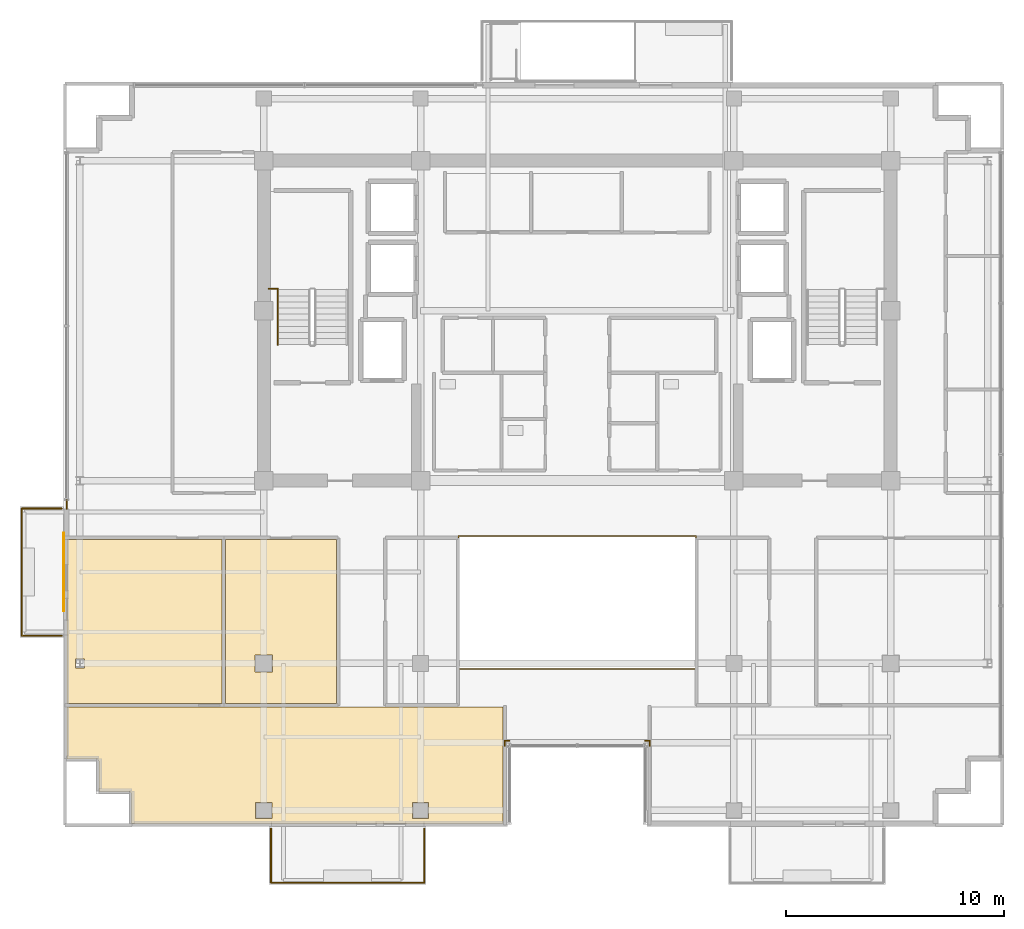
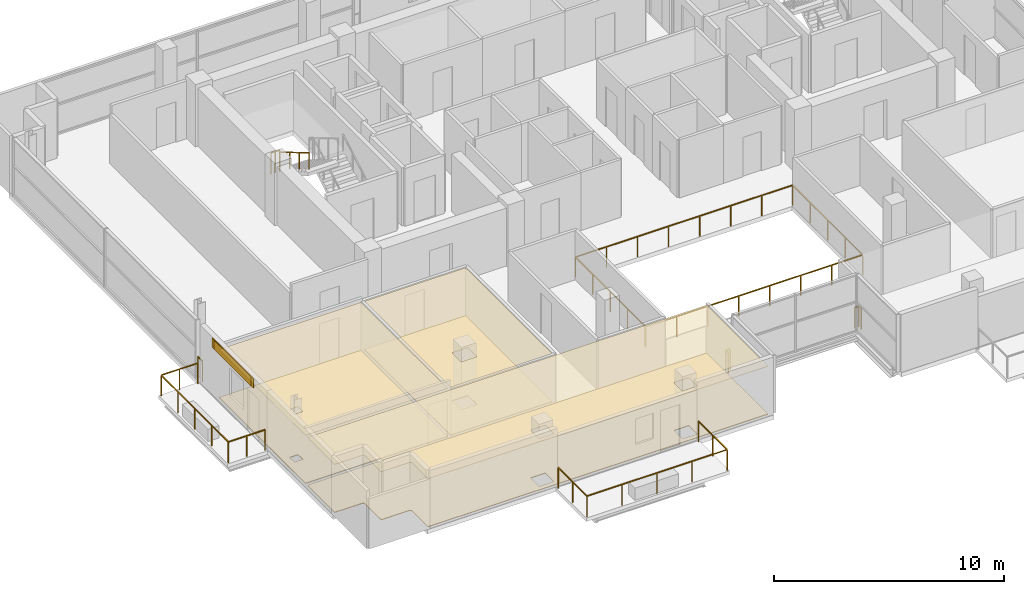
# One storey, part 20 of 24: 10 railings, 7 coverings, 1 shading device.
"""IFC4 building model written with IfcOpenShell, lengths in metres."""

from ifc_helpers import new_model, si_unit, direction, frame, origin, origin_2d, place, context, subcontext, project, spatial, polyline, rectangle, outline, extrude, source, transform, mapped, material, layer, layer_set, type_object, element, save


model = new_model("IFC4")

# Units and contexts
model_context = context("Model", 3, precision=1e-05, world=origin(), true_north=direction((0.0, 1.0)))
body_context = subcontext(model_context, "Body", "Model", "MODEL_VIEW")
ifc_project = project(units=[si_unit("LENGTHUNIT", "METRE"), si_unit("AREAUNIT", "SQUARE_METRE"), si_unit("VOLUMEUNIT", "CUBIC_METRE"), si_unit("PLANEANGLEUNIT", "RADIAN"), si_unit("MASSUNIT", "GRAM", prefix="KILO")], contexts=[model_context])

# Site, building, storey
site_placement = place(None, origin())
site = spatial("IfcSite", under=ifc_project, at=site_placement, CompositionType="ELEMENT")
building_placement = place(site_placement, origin())
building = spatial("IfcBuilding", under=site, at=building_placement, Name="Zarnakvel Exchange Tower", CompositionType="ELEMENT")
storey_placement = place(building_placement, frame((0.0, 0.0, 208.89990234375)))
storey = spatial("IfcBuildingStorey", under=building, at=storey_placement, Name="L58", CompositionType="ELEMENT", Elevation=208.89990234375)

# Coverings
ifc_material_1 = material(Name="Perforated Bronze Acoustic Metal Ceiling", Category="aluminium")
ifc_layer_1 = layer(ifc_material_1, 0.02001953125)
ifc_layer_set_1 = layer_set([ifc_layer_1], Name="Perforated Bronze Acoustic Metal Ceiling")
covering_type_1 = type_object("IfcCoveringType", Name="CLG-01", PredefinedType="CEILING", material=ifc_layer_set_1)
covering_1_placement = place(storey_placement, frame((0.0, 0.0, 2.55517578125)))
element("IfcCovering", 1, at=covering_1_placement, inside=storey, type_object=covering_type_1, Name="L58 Suspended Acoustic Ceiling (Electronic Trading Hall)", PredefinedType="CEILING", context=body_context, shape_type="SweptSolid", body=[
    extrude(outline(polyline([(-23.449951171875, -3.909912109375), (-16.31591796875, -3.909912109375), (-16.31591796875, -11.43994140625), (-23.449951171875, -11.43994140625), (-23.449951171875, -3.909912109375)]), holes=[polyline([(-22.642578125, -9.807373046875), (-22.642578125, -9.392578125), (-23.057373046875, -9.392578125), (-23.057373046875, -9.807373046875), (-22.642578125, -9.807373046875)])]), origin(), (0.0, 0.0, 1.0), 0.02001953125),
])
covering_2_placement = place(storey_placement, frame((0.0, 0.0, 2.55517578125)))
element("IfcCovering", 2, at=covering_2_placement, inside=storey, type_object=covering_type_1, Name="L58 Suspended Acoustic Ceiling (Brokerage Workspace)", PredefinedType="CEILING", context=body_context, shape_type="SweptSolid", body=[
    extrude(outline(polyline([(-16.15576171875, -3.909912109375), (-11.06005859375, -3.909912109375), (-11.06005859375, -11.43994140625), (-16.15576171875, -11.43994140625), (-16.15576171875, -3.909912109375)]), holes=[polyline([(-14.0048828125, -9.9951171875), (-14.0048828125, -9.205078125), (-14.794921875, -9.205078125), (-14.794921875, -9.9951171875), (-14.0048828125, -9.9951171875)])]), origin(), (0.0, 0.0, 1.0), 0.02001953125),
])
covering_3_placement = place(storey_placement, frame((0.0, 0.0, 2.55517578125)))
element("IfcCovering", 3, at=covering_3_placement, inside=storey, type_object=covering_type_1, Name="L58 Suspended Acoustic Ceiling (Electronic Trading Hall)", PredefinedType="CEILING", context=body_context, shape_type="SweptSolid", body=[
    extrude(outline(polyline([(-3.39990234375, -11.60009765625), (-3.39990234375, -16.949951171875), (-20.47998046875, -16.949951171875), (-20.47998046875, -15.60009765625), (-20.48046875, -15.588134765625), (-20.482421875, -15.57666015625), (-20.485107421875, -15.565185546875), (-20.489013671875, -15.55419921875), (-20.494140625, -15.54345703125), (-20.500244140625, -15.533447265625), (-20.50732421875, -15.52392578125), (-20.51513671875, -15.51513671875), (-20.52392578125, -15.50732421875), (-20.533447265625, -15.500244140625), (-20.54345703125, -15.494140625), (-20.55419921875, -15.489013671875), (-20.565185546875, -15.485107421875), (-20.57666015625, -15.482421875), (-20.588134765625, -15.48046875), (-20.60009765625, -15.47998046875), (-21.97998046875, -15.47998046875), (-21.97998046875, -14.10009765625), (-21.98046875, -14.088134765625), (-21.982421875, -14.07666015625), (-21.985107421875, -14.065185546875), (-21.989013671875, -14.05419921875), (-21.994140625, -14.04345703125), (-22.000244140625, -14.033447265625), (-22.00732421875, -14.02392578125), (-22.01513671875, -14.01513671875), (-22.02392578125, -14.00732421875), (-22.033447265625, -14.000244140625), (-22.04345703125, -13.994140625), (-22.05419921875, -13.989013671875), (-22.065185546875, -13.985107421875), (-22.07666015625, -13.982421875), (-22.088134765625, -13.98046875), (-22.10009765625, -13.97998046875), (-23.449951171875, -13.97998046875), (-23.449951171875, -11.60009765625), (-3.39990234375, -11.60009765625)]), holes=[polyline([(-6.830078125, -16.719970703125), (-6.830078125, -15.97998046875), (-7.570068359375, -15.97998046875), (-7.570068359375, -16.719970703125), (-6.830078125, -16.719970703125)]), polyline([(-14.030029296875, -15.97998046875), (-14.77001953125, -15.97998046875), (-14.77001953125, -16.719970703125), (-14.030029296875, -16.719970703125), (-14.030029296875, -15.97998046875)])]), origin(), (0.0, 0.0, 1.0), 0.02001953125),
])
ifc_material_2 = material(Name="Heavy-Duty Raised Access Floor Panel", Category="steel")
ifc_layer_2 = layer(ifc_material_2, 0.034912109375)
ifc_layer_set_2 = layer_set([ifc_layer_2], Name="Heavy-Duty Raised Access Floor Panel")
covering_type_2 = type_object("IfcCoveringType", Name="FLR-02", PredefinedType="FLOORING", material=ifc_layer_set_2)
covering_4_placement = place(storey_placement, origin())
element("IfcCovering", 4, at=covering_4_placement, inside=storey, type_object=covering_type_2, Name="L58 Floor Finish (Electronic Trading Hall)", PredefinedType="FLOORING", context=body_context, shape_type="SweptSolid", body=[
    extrude(outline(polyline([(-23.449951171875, -3.909912109375), (-16.31591796875, -3.909912109375), (-16.31591796875, -11.43994140625), (-23.449951171875, -11.43994140625), (-23.449951171875, -3.909912109375)]), holes=[polyline([(-22.642578125, -9.807373046875), (-22.642578125, -9.392578125), (-23.057373046875, -9.392578125), (-23.057373046875, -9.807373046875), (-22.642578125, -9.807373046875)])]), origin(), (0.0, 0.0, 1.0), 0.03515625),
])
covering_5_placement = place(storey_placement, origin())
element("IfcCovering", 5, at=covering_5_placement, inside=storey, type_object=covering_type_2, Name="L58 Floor Finish (Brokerage Workspace)", PredefinedType="FLOORING", context=body_context, shape_type="SweptSolid", body=[
    extrude(outline(polyline([(-16.15576171875, -3.909912109375), (-11.06005859375, -3.909912109375), (-11.06005859375, -11.43994140625), (-16.15576171875, -11.43994140625), (-16.15576171875, -3.909912109375)]), holes=[polyline([(-14.0048828125, -9.9951171875), (-14.0048828125, -9.205078125), (-14.794921875, -9.205078125), (-14.794921875, -9.9951171875), (-14.0048828125, -9.9951171875)])]), origin(), (0.0, 0.0, 1.0), 0.03515625),
])
covering_6_placement = place(storey_placement, origin())
element("IfcCovering", 6, at=covering_6_placement, inside=storey, type_object=covering_type_2, Name="L58 Floor Finish (Electronic Trading Hall)", PredefinedType="FLOORING", context=body_context, shape_type="SweptSolid", body=[
    extrude(outline(polyline([(-3.39990234375, -11.60009765625), (-3.39990234375, -16.949951171875), (-20.47998046875, -16.949951171875), (-20.47998046875, -15.60009765625), (-20.48046875, -15.588134765625), (-20.482421875, -15.57666015625), (-20.485107421875, -15.565185546875), (-20.489013671875, -15.55419921875), (-20.494140625, -15.54345703125), (-20.500244140625, -15.533447265625), (-20.50732421875, -15.52392578125), (-20.51513671875, -15.51513671875), (-20.52392578125, -15.50732421875), (-20.533447265625, -15.500244140625), (-20.54345703125, -15.494140625), (-20.55419921875, -15.489013671875), (-20.565185546875, -15.485107421875), (-20.57666015625, -15.482421875), (-20.588134765625, -15.48046875), (-20.60009765625, -15.47998046875), (-21.97998046875, -15.47998046875), (-21.97998046875, -14.10009765625), (-21.98046875, -14.088134765625), (-21.982421875, -14.07666015625), (-21.985107421875, -14.065185546875), (-21.989013671875, -14.05419921875), (-21.994140625, -14.04345703125), (-22.000244140625, -14.033447265625), (-22.00732421875, -14.02392578125), (-22.01513671875, -14.01513671875), (-22.02392578125, -14.00732421875), (-22.033447265625, -14.000244140625), (-22.04345703125, -13.994140625), (-22.05419921875, -13.989013671875), (-22.065185546875, -13.985107421875), (-22.07666015625, -13.982421875), (-22.088134765625, -13.98046875), (-22.10009765625, -13.97998046875), (-23.449951171875, -13.97998046875), (-23.449951171875, -11.60009765625), (-3.39990234375, -11.60009765625)]), holes=[polyline([(-6.830078125, -16.719970703125), (-6.830078125, -15.97998046875), (-7.570068359375, -15.97998046875), (-7.570068359375, -16.719970703125), (-6.830078125, -16.719970703125)]), polyline([(-14.030029296875, -15.97998046875), (-14.77001953125, -15.97998046875), (-14.77001953125, -16.719970703125), (-14.030029296875, -16.719970703125), (-14.030029296875, -15.97998046875)])]), origin(), (0.0, 0.0, 1.0), 0.03515625),
])

# Railings
ifc_material_3 = material(Name="Architectural Bronze Anodised Aluminium", Category="aluminium")
railing_type_1 = type_object("IfcRailingType", Name="GR-02", PredefinedType="GUARDRAIL", material=ifc_material_3)
railing_1_placement = place(storey_placement, frame((-14.070068359375, -17.179931640625, -0.034912109375)))
element("IfcRailing", 7, at=railing_1_placement, inside=storey, type_object=railing_type_1, Name="L58 Balcony Guardrail BAL-L58-SW", PredefinedType="GUARDRAIL", context=body_context, shape_type="SweptSolid", body=[
    extrude(rectangle(XDim=0.048095703125, YDim=0.048095703125, at=origin_2d()), frame((0.0, 0.0, 1.09619140625), z_axis=(0.0, -1.0, 0.0), x_axis=(1.0, 0.0, 0.0)), (0.0, 0.0, 1.0), 2.489990234375),
    extrude(rectangle(XDim=0.048095703125, YDim=0.048095703125, at=origin_2d()), frame((0.0, -2.489990234375, 1.09619140625), z_axis=(1.0, 0.0, 0.0), x_axis=(0.0, 1.0, 0.0)), (0.0, 0.0, 1.0), 7.0400390625),
    extrude(rectangle(XDim=0.048095703125, YDim=0.048095703125, at=origin_2d()), frame((7.0400390625, -2.489990234375, 1.09619140625), z_axis=(0.0, 1.0, 0.0), x_axis=(-1.0, 0.0, 0.0)), (0.0, 0.0, 1.0), 2.489990234375),
    extrude(rectangle(XDim=0.0419921875, YDim=0.0419921875, at=origin_2d()), origin(), (0.0, 0.0, 1.0), 1.072021484375),
    extrude(rectangle(XDim=0.0419921875, YDim=0.0419921875, at=origin_2d()), frame((0.0, -1.2451171875, 0.0)), (0.0, 0.0, 1.0), 1.072021484375),
    extrude(rectangle(XDim=0.0419921875, YDim=0.0419921875, at=origin_2d()), frame((0.0, -2.489990234375, 0.0)), (0.0, 0.0, 1.0), 1.072021484375),
    extrude(rectangle(XDim=0.0419921875, YDim=0.0419921875, at=origin_2d()), frame((1.760009765625, -2.489990234375, 0.0)), (0.0, 0.0, 1.0), 1.072021484375),
    extrude(rectangle(XDim=0.0419921875, YDim=0.0419921875, at=origin_2d()), frame((3.52001953125, -2.489990234375, 0.0)), (0.0, 0.0, 1.0), 1.072021484375),
    extrude(rectangle(XDim=0.0419921875, YDim=0.0419921875, at=origin_2d()), frame((5.280029296875, -2.489990234375, 0.0)), (0.0, 0.0, 1.0), 1.072021484375),
    extrude(rectangle(XDim=0.0419921875, YDim=0.0419921875, at=origin_2d()), frame((7.0400390625, -2.489990234375, 0.0)), (0.0, 0.0, 1.0), 1.072021484375),
    extrude(rectangle(XDim=0.0419921875, YDim=0.0419921875, at=origin_2d()), frame((7.0400390625, -1.2451171875, 0.0)), (0.0, 0.0, 1.0), 1.072021484375),
    extrude(rectangle(XDim=0.0419921875, YDim=0.0419921875, at=origin_2d()), frame((7.0400390625, 0.0, 0.0)), (0.0, 0.0, 1.0), 1.072021484375),
])
railing_2_placement = place(storey_placement, frame((-23.679931640625, -8.320068359375, -0.034912109375)))
element("IfcRailing", 8, at=railing_2_placement, inside=storey, type_object=railing_type_1, Name="L58 Balcony Guardrail BAL-L58-W", PredefinedType="GUARDRAIL", context=body_context, shape_type="SweptSolid", body=[
    extrude(rectangle(XDim=0.048095703125, YDim=0.048095703125, at=origin_2d()), frame((0.0, 0.0, 1.09619140625), z_axis=(-1.0, 0.0, 0.0), x_axis=(0.0, -1.0, 0.0)), (0.0, 0.0, 1.0), 1.840087890625),
    extrude(rectangle(XDim=0.048095703125, YDim=0.048095703125, at=origin_2d()), frame((-1.840087890625, 0.0, 1.09619140625), z_axis=(0.0, 1.0, 0.0), x_axis=(-1.0, 0.0, 0.0)), (0.0, 0.0, 1.0), 5.840087890625),
    extrude(rectangle(XDim=0.048095703125, YDim=0.048095703125, at=origin_2d()), frame((-1.840087890625, 5.840087890625, 1.09619140625), z_axis=(1.0, 0.0, 0.0), x_axis=(0.0, 1.0, 0.0)), (0.0, 0.0, 1.0), 1.840087890625),
    extrude(rectangle(XDim=0.0419921875, YDim=0.0419921875, at=origin_2d()), origin(), (0.0, 0.0, 1.0), 1.072021484375),
    extrude(rectangle(XDim=0.0419921875, YDim=0.0419921875, at=origin_2d()), frame((-0.919921875, 0.0, 0.0)), (0.0, 0.0, 1.0), 1.072021484375),
    extrude(rectangle(XDim=0.0419921875, YDim=0.0419921875, at=origin_2d()), frame((-1.840087890625, 0.0, 0.0)), (0.0, 0.0, 1.0), 1.072021484375),
    extrude(rectangle(XDim=0.0419921875, YDim=0.0419921875, at=origin_2d()), frame((-1.840087890625, 1.4599609375, 0.0)), (0.0, 0.0, 1.0), 1.072021484375),
    extrude(rectangle(XDim=0.0419921875, YDim=0.0419921875, at=origin_2d()), frame((-1.840087890625, 2.919921875, 0.0)), (0.0, 0.0, 1.0), 1.072021484375),
    extrude(rectangle(XDim=0.0419921875, YDim=0.0419921875, at=origin_2d()), frame((-1.840087890625, 4.380126953125, 0.0)), (0.0, 0.0, 1.0), 1.072021484375),
    extrude(rectangle(XDim=0.0419921875, YDim=0.0419921875, at=origin_2d()), frame((-1.840087890625, 5.840087890625, 0.0)), (0.0, 0.0, 1.0), 1.072021484375),
    extrude(rectangle(XDim=0.0419921875, YDim=0.0419921875, at=origin_2d()), frame((-0.919921875, 5.840087890625, 0.0)), (0.0, 0.0, 1.0), 1.072021484375),
    extrude(rectangle(XDim=0.0419921875, YDim=0.0419921875, at=origin_2d()), frame((0.0, 5.840087890625, 0.0)), (0.0, 0.0, 1.0), 1.072021484375),
])
railing_3_placement = place(storey_placement, frame((-23.4599609375, -2.5, 0.0)))
element("IfcRailing", 9, at=railing_3_placement, inside=storey, type_object=railing_type_1, Name="L58 Corner Spandrel Balustrade #2", PredefinedType="GUARDRAIL", context=body_context, shape_type="SweptSolid", body=[
    extrude(rectangle(XDim=0.048095703125, YDim=0.048095703125, at=origin_2d()), frame((0.0, 0.0, 1.09619140625), z_axis=(0.0, 1.0, 0.0), x_axis=(-1.0, 0.0, 0.0)), (0.0, 0.0, 1.0), 0.39990234375),
    extrude(rectangle(XDim=0.0419921875, YDim=0.0419921875, at=origin_2d()), origin(), (0.0, 0.0, 1.0), 1.072021484375),
    extrude(rectangle(XDim=0.0419921875, YDim=0.0419921875, at=origin_2d()), frame((0.0, 0.39990234375, 0.0)), (0.0, 0.0, 1.0), 1.072021484375),
])
railing_4_placement = place(storey_placement, frame((3.340087890625, -13.3798828125, 0.0)))
element("IfcRailing", 10, at=railing_4_placement, inside=storey, type_object=railing_type_1, Name="L58 Corner Spandrel Balustrade #19", PredefinedType="GUARDRAIL", context=body_context, shape_type="SweptSolid", body=[
    extrude(rectangle(XDim=0.048095703125, YDim=0.048095703125, at=origin_2d()), frame((0.0, 0.0, 1.09619140625), z_axis=(0.0, 1.0, 0.0), x_axis=(-1.0, 0.0, 0.0)), (0.0, 0.0, 1.0), 0.219970703125),
    extrude(rectangle(XDim=0.0419921875, YDim=0.0419921875, at=origin_2d()), origin(), (0.0, 0.0, 1.0), 1.072021484375),
    extrude(rectangle(XDim=0.0419921875, YDim=0.0419921875, at=origin_2d()), frame((0.0, 0.219970703125, 0.0)), (0.0, 0.0, 1.0), 1.072021484375),
])
for number, where, name in (
    (11, (3.340087890625, -13.159912109375, 0.0), "L58 Corner Spandrel Balustrade #20"),
    (12, (-3.1201171875, -13.159912109375, 0.0), "L58 Corner Spandrel Balustrade #21"),
):
    element("IfcRailing", number, at=place(storey_placement, frame(where)), inside=storey, type_object=railing_type_1, Name=name, PredefinedType="GUARDRAIL", context=body_context, shape_type="SweptSolid", body=[
        extrude(rectangle(XDim=0.048095703125, YDim=0.048095703125, at=origin_2d()), frame((0.0, 0.0, 1.09619140625), z_axis=(-1.0, 0.0, 0.0), x_axis=(0.0, -1.0, 0.0)), (0.0, 0.0, 1.0), 0.219970703125),
        extrude(rectangle(XDim=0.0419921875, YDim=0.0419921875, at=origin_2d()), origin(), (0.0, 0.0, 1.0), 1.072021484375),
        extrude(rectangle(XDim=0.0419921875, YDim=0.0419921875, at=origin_2d()), frame((-0.219970703125, 0.0, 0.0)), (0.0, 0.0, 1.0), 1.072021484375),
    ])
railing_5_placement = place(storey_placement, frame((-3.340087890625, -13.159912109375, 0.0)))
element("IfcRailing", 13, at=railing_5_placement, inside=storey, type_object=railing_type_1, Name="L58 Corner Spandrel Balustrade #22", PredefinedType="GUARDRAIL", context=body_context, shape_type="SweptSolid", body=[
    extrude(rectangle(XDim=0.048095703125, YDim=0.048095703125, at=origin_2d()), frame((0.0, 0.0, 1.09619140625), z_axis=(0.0, -1.0, 0.0), x_axis=(1.0, 0.0, 0.0)), (0.0, 0.0, 1.0), 0.219970703125),
    extrude(rectangle(XDim=0.0419921875, YDim=0.0419921875, at=origin_2d()), origin(), (0.0, 0.0, 1.0), 1.072021484375),
    extrude(rectangle(XDim=0.0419921875, YDim=0.0419921875, at=origin_2d()), frame((0.0, -0.219970703125, 0.0)), (0.0, 0.0, 1.0), 1.072021484375),
])
railing_type_2 = type_object("IfcRailingType", Name="GR-03", PredefinedType="GUARDRAIL", material=ifc_material_3)
railing_6_placement = place(storey_placement, frame((-5.449951171875, -9.85009765625, 0.0)))
element("IfcRailing", 14, at=railing_6_placement, inside=storey, type_object=railing_type_2, Name="L58 Atrium Void Perimeter Balustrade", PredefinedType="GUARDRAIL", context=body_context, shape_type="SweptSolid", body=[
    extrude(rectangle(XDim=0.048095703125, YDim=0.048095703125, at=origin_2d()), frame((0.0, 0.0, 1.076171875), z_axis=(1.0, 0.0, 0.0), x_axis=(0.0, 1.0, 0.0)), (0.0, 0.0, 1.0), 10.89990234375),
    extrude(rectangle(XDim=0.048095703125, YDim=0.048095703125, at=origin_2d()), frame((10.89990234375, 0.0, 1.076171875), z_axis=(0.0, 1.0, 0.0), x_axis=(-1.0, 0.0, 0.0)), (0.0, 0.0, 1.0), 6.10009765625),
    extrude(rectangle(XDim=0.048095703125, YDim=0.048095703125, at=origin_2d()), frame((10.89990234375, 6.10009765625, 1.076171875), z_axis=(-1.0, 0.0, 0.0), x_axis=(0.0, -1.0, 0.0)), (0.0, 0.0, 1.0), 10.89990234375),
    extrude(rectangle(XDim=0.048095703125, YDim=0.048095703125, at=origin_2d()), frame((0.0, 6.10009765625, 1.076171875), z_axis=(0.0, -1.0, 0.0), x_axis=(1.0, 0.0, 0.0)), (0.0, 0.0, 1.0), 6.02001953125),
    extrude(rectangle(XDim=0.0419921875, YDim=0.0419921875, at=origin_2d()), origin(), (0.0, 0.0, 1.0), 1.052001953125),
    extrude(rectangle(XDim=0.0419921875, YDim=0.0419921875, at=origin_2d()), frame((1.55712890625, 0.0, 0.0)), (0.0, 0.0, 1.0), 1.052001953125),
    extrude(rectangle(XDim=0.0419921875, YDim=0.0419921875, at=origin_2d()), frame((3.1142578125, 0.0, 0.0)), (0.0, 0.0, 1.0), 1.052001953125),
    extrude(rectangle(XDim=0.0419921875, YDim=0.0419921875, at=origin_2d()), frame((4.67138671875, 0.0, 0.0)), (0.0, 0.0, 1.0), 1.052001953125),
    extrude(rectangle(XDim=0.0419921875, YDim=0.0419921875, at=origin_2d()), frame((6.228515625, 0.0, 0.0)), (0.0, 0.0, 1.0), 1.052001953125),
    extrude(rectangle(XDim=0.0419921875, YDim=0.0419921875, at=origin_2d()), frame((7.78564453125, 0.0, 0.0)), (0.0, 0.0, 1.0), 1.052001953125),
    extrude(rectangle(XDim=0.0419921875, YDim=0.0419921875, at=origin_2d()), frame((9.3427734375, 0.0, 0.0)), (0.0, 0.0, 1.0), 1.052001953125),
    extrude(rectangle(XDim=0.0419921875, YDim=0.0419921875, at=origin_2d()), frame((10.89990234375, 0.0, 0.0)), (0.0, 0.0, 1.0), 1.052001953125),
    extrude(rectangle(XDim=0.0419921875, YDim=0.0419921875, at=origin_2d()), frame((10.89990234375, 1.52490234375, 0.0)), (0.0, 0.0, 1.0), 1.052001953125),
    extrude(rectangle(XDim=0.0419921875, YDim=0.0419921875, at=origin_2d()), frame((10.89990234375, 3.050048828125, 0.0)), (0.0, 0.0, 1.0), 1.052001953125),
    extrude(rectangle(XDim=0.0419921875, YDim=0.0419921875, at=origin_2d()), frame((10.89990234375, 4.5751953125, 0.0)), (0.0, 0.0, 1.0), 1.052001953125),
    extrude(rectangle(XDim=0.0419921875, YDim=0.0419921875, at=origin_2d()), frame((10.89990234375, 6.10009765625, 0.0)), (0.0, 0.0, 1.0), 1.052001953125),
    extrude(rectangle(XDim=0.0419921875, YDim=0.0419921875, at=origin_2d()), frame((9.3427734375, 6.10009765625, 0.0)), (0.0, 0.0, 1.0), 1.052001953125),
    extrude(rectangle(XDim=0.0419921875, YDim=0.0419921875, at=origin_2d()), frame((7.78564453125, 6.10009765625, 0.0)), (0.0, 0.0, 1.0), 1.052001953125),
    extrude(rectangle(XDim=0.0419921875, YDim=0.0419921875, at=origin_2d()), frame((6.228515625, 6.10009765625, 0.0)), (0.0, 0.0, 1.0), 1.052001953125),
    extrude(rectangle(XDim=0.0419921875, YDim=0.0419921875, at=origin_2d()), frame((4.67138671875, 6.10009765625, 0.0)), (0.0, 0.0, 1.0), 1.052001953125),
    extrude(rectangle(XDim=0.0419921875, YDim=0.0419921875, at=origin_2d()), frame((3.1142578125, 6.10009765625, 0.0)), (0.0, 0.0, 1.0), 1.052001953125),
    extrude(rectangle(XDim=0.0419921875, YDim=0.0419921875, at=origin_2d()), frame((1.55712890625, 6.10009765625, 0.0)), (0.0, 0.0, 1.0), 1.052001953125),
    extrude(rectangle(XDim=0.0419921875, YDim=0.0419921875, at=origin_2d()), frame((0.0, 6.10009765625, 0.0)), (0.0, 0.0, 1.0), 1.052001953125),
    extrude(rectangle(XDim=0.0419921875, YDim=0.0419921875, at=origin_2d()), frame((0.0, 4.59521484375, 0.0)), (0.0, 0.0, 1.0), 1.052001953125),
    extrude(rectangle(XDim=0.0419921875, YDim=0.0419921875, at=origin_2d()), frame((0.0, 3.090087890625, 0.0)), (0.0, 0.0, 1.0), 1.052001953125),
    extrude(rectangle(XDim=0.0419921875, YDim=0.0419921875, at=origin_2d()), frame((0.0, 1.5849609375, 0.0)), (0.0, 0.0, 1.0), 1.052001953125),
    extrude(rectangle(XDim=0.0419921875, YDim=0.0419921875, at=origin_2d()), frame((0.0, 0.080078125, 0.0)), (0.0, 0.0, 1.0), 1.052001953125),
])
ifc_material_4 = material(Name="Brushed Stainless Steel", Category="steel")
railing_type_3 = type_object("IfcRailingType", Name="HR-01", PredefinedType="HANDRAIL", material=ifc_material_4)
railing_7_placement = place(storey_placement, frame((-13.75, 7.570068359375, 1.815185546875)))
element("IfcRailing", 15, at=railing_7_placement, inside=storey, type_object=railing_type_3, Name="L58 ST-01 stair handrail 2", PredefinedType="HANDRAIL", context=body_context, shape_type="SweptSolid", body=[
    extrude(rectangle(XDim=0.048095703125, YDim=0.048095703125, at=origin_2d()), frame((0.0, 0.0, 0.8759765625), z_axis=(0.0, -0.861560626758, 0.507654692109), x_axis=(1.0, 0.0, 0.0)), (0.0, 0.0, 1.0), 2.925048828125),
    extrude(rectangle(XDim=0.0419921875, YDim=0.0419921875, at=origin_2d()), origin(), (0.0, 0.0, 1.0), 0.851806640625),
    extrude(rectangle(XDim=0.0419921875, YDim=0.0419921875, at=origin_2d()), frame((0.0, -0.840087890625, 0.494873046875)), (0.0, 0.0, 1.0), 0.851806640625),
    extrude(rectangle(XDim=0.0419921875, YDim=0.0419921875, at=origin_2d()), frame((0.0, -1.679931640625, 0.989990234375)), (0.0, 0.0, 1.0), 0.851806640625),
    extrude(rectangle(XDim=0.0419921875, YDim=0.0419921875, at=origin_2d()), frame((0.0, -2.52001953125, 1.48486328125)), (0.0, 0.0, 1.0), 0.851806640625),
])
railing_type_4 = type_object("IfcRailingType", Name="SG-01", PredefinedType="GUARDRAIL", material=ifc_material_3)
railing_8_placement = place(storey_placement, frame((-14.179931640625, 7.610107421875, 1.650146484375)))
element("IfcRailing", 16, at=railing_8_placement, inside=storey, type_object=railing_type_4, Name="L58 ST-01 Landing Slot Guardrail", PredefinedType="GUARDRAIL", context=body_context, shape_type="SweptSolid", body=[
    extrude(rectangle(XDim=0.048095703125, YDim=0.048095703125, at=origin_2d()), frame((0.0, 0.0, 1.1259765625), z_axis=(1.0, 0.0, 0.0), x_axis=(0.0, 1.0, 0.0)), (0.0, 0.0, 1.0), 0.429931640625),
    extrude(rectangle(XDim=0.0419921875, YDim=0.0419921875, at=origin_2d()), origin(), (0.0, 0.0, 1.0), 1.101806640625),
    extrude(rectangle(XDim=0.0419921875, YDim=0.0419921875, at=origin_2d()), frame((0.21484375, 0.0, 0.0)), (0.0, 0.0, 1.0), 1.101806640625),
    extrude(rectangle(XDim=0.0419921875, YDim=0.0419921875, at=origin_2d()), frame((0.429931640625, 0.0, 0.0)), (0.0, 0.0, 1.0), 1.101806640625),
])

# Covering
ifc_material_5 = material(Name="Warm Sandstone Terracotta Spandrel Tile", Category="masonry")
ifc_layer_3 = layer(ifc_material_5, 0.031982421875)
ifc_layer_set_3 = layer_set([ifc_layer_3], Name="Warm Sandstone Terracotta Spandrel Tile")
covering_type_3 = type_object("IfcCoveringType", Name="CL-02", PredefinedType="CLADDING", material=ifc_layer_set_3)
shared_shape_1 = source(origin(), body_context, "Body", "SweptSolid", [
    extrude(rectangle(XDim=3.60009765625, YDim=0.031982421875, at=origin_2d()), origin(), (0.0, 0.0, 1.0), 0.4951171875),
])
covering_7_placement = place(storey_placement, frame((-23.593994140625, -5.39990234375, 2.56005859375), z_axis=(0.0, 0.0, 1.0), x_axis=(0.0, 1.0, 0.0)))
element("IfcCovering", 17, at=covering_7_placement, inside=storey, type_object=covering_type_3, Name="L58 Ceramic Spandrel Tilework CL-02", PredefinedType="CLADDING", context=body_context, shape_type="MappedRepresentation", body=[
    mapped(shared_shape_1, transform((0.0, 0.0, 0.0), x_axis=(1.0, 0.0, 0.0), y_axis=(0.0, 1.0, 0.0), z_axis=(0.0, 0.0, 1.0), scale=1.0)),
])

# Shading device
ifc_material_6 = material(Name="Perforated Architectural Bronze Screen", Category="aluminium")
ifc_layer_4 = layer(ifc_material_6, 0.044921875)
ifc_layer_set_4 = layer_set([ifc_layer_4], Name="Perforated Architectural Bronze Screen")
shading_device_type = type_object("IfcShadingDeviceType", Name="SS-01", PredefinedType="JALOUSIE", material=ifc_layer_set_4)
shared_shape_2 = source(origin(), body_context, "Body", "SweptSolid", [
    extrude(rectangle(XDim=3.199951171875, YDim=0.044921875, at=origin_2d()), origin(), (0.0, 0.0, 1.0), 0.4951171875),
])
shading_device_placement = place(storey_placement, frame((-23.6005859375, -5.39990234375, 2.56005859375), z_axis=(0.0, 0.0, 1.0), x_axis=(0.0, 1.0, 0.0)))
element("IfcShadingDevice", 18, at=shading_device_placement, inside=storey, type_object=shading_device_type, Name="L58 Bronze Solar Shading Screen SS-01", PredefinedType="JALOUSIE", context=body_context, shape_type="MappedRepresentation", body=[
    mapped(shared_shape_2, transform((0.0, 0.0, 0.0), x_axis=(1.0, 0.0, 0.0), y_axis=(0.0, 1.0, 0.0), z_axis=(0.0, 0.0, 1.0), scale=1.0)),
])

save(model, "model.ifc")
